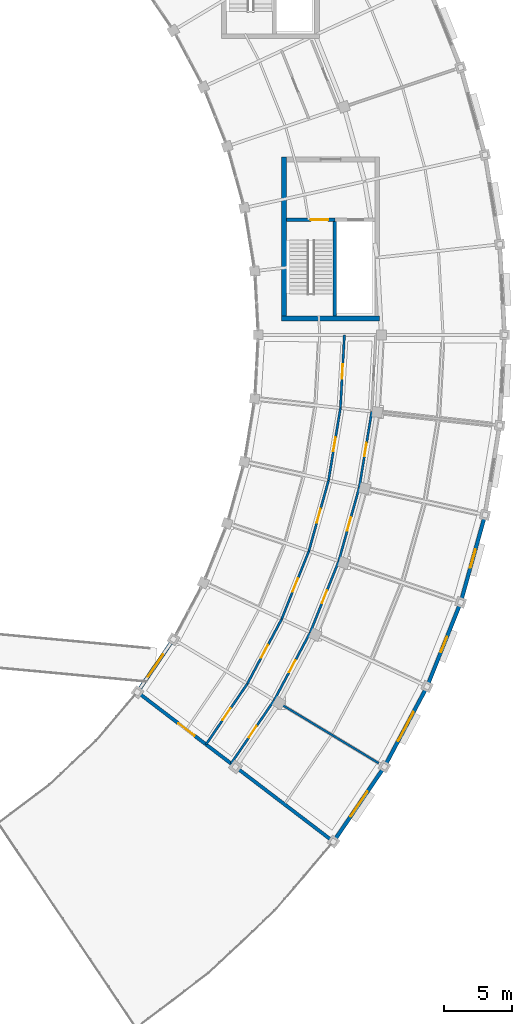
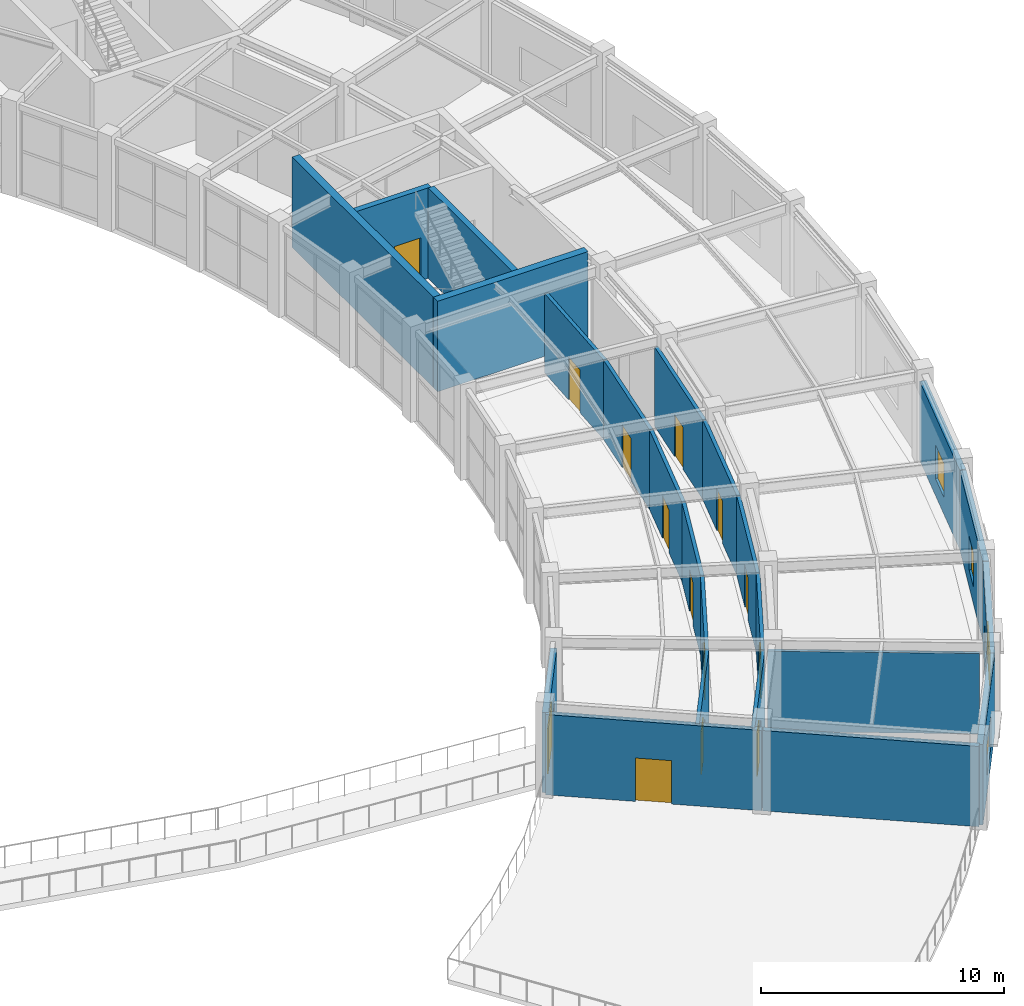
# One storey, part 83 of 100: 23 walls, 14 doors, 4 windows, 18 openings.
"""IFC4 building model written with IfcOpenShell, lengths in metres."""

from ifc_helpers import new_model, si_unit, direction, frame, frame_2d, origin, place, context, subcontext, project, spatial, rectangle, extrude, material, layer, layer_set, type_object, element, fill, save


model = new_model("IFC4")

# Units and contexts
model_context = context("Model", 3, precision=1e-05, world=origin(), true_north=direction((0.0, 1.0)))
body_context = subcontext(model_context, "Body", "Model", "MODEL_VIEW")
ifc_project = project(units=[si_unit("LENGTHUNIT", "METRE"), si_unit("AREAUNIT", "SQUARE_METRE"), si_unit("VOLUMEUNIT", "CUBIC_METRE"), si_unit("PLANEANGLEUNIT", "RADIAN"), si_unit("MASSUNIT", "GRAM", prefix="KILO")], contexts=[model_context])

# Site, building, storey
site_placement = place(None, origin())
site = spatial("IfcSite", under=ifc_project, at=site_placement, CompositionType="ELEMENT")
building_placement = place(site_placement, origin())
building = spatial("IfcBuilding", under=site, at=building_placement, Name="Tarnveldt Headland Concert Hall", CompositionType="ELEMENT")
storey_placement = place(building_placement, frame((0.0, 0.0, 4.800048828125)))
storey = spatial("IfcBuildingStorey", under=building, at=storey_placement, Name="L01", CompositionType="ELEMENT", Elevation=4.800048828125)

# Walls
ifc_material_1 = material(Name="Concrete C40/50", Category="concrete")
ifc_layer_1 = layer(ifc_material_1, 0.35009765625, Name="Concrete C40/50", Category="concrete")
ifc_layer_set_1 = layer_set([ifc_layer_1], Name="Concrete C40/50")
wall_type_1 = type_object("IfcWallType", Name="WL-CR350", PredefinedType="SHEAR", material=ifc_layer_set_1)
wall_1_placement = place(storey_placement, frame((162.22509765625, 61.199951171875, 0.0), z_axis=(0.0, 0.0, 1.0), x_axis=(1.0, 0.0, 0.0)))
element("IfcWall", 1, at=wall_1_placement, inside=storey, type_object=wall_type_1, Name="Core C4 south shear wall L01", PredefinedType="SHEAR", context=body_context, shape_type="SweptSolid", body=[
    extrude(rectangle(XDim=7.14990234375, YDim=0.35009765625, at=frame_2d((3.574951171875, 0.0))), origin(), (0.0, 0.0, 1.0), 4.5400390625),
])
wall_2_placement = place(storey_placement, frame((162.39990234375, 61.375, 0.0), z_axis=(0.0, 0.0, 1.0), x_axis=(0.0, 1.0, 0.0)))
element("IfcWall", 2, at=wall_2_placement, inside=storey, type_object=wall_type_1, Name="Core C4 west shear wall L01", PredefinedType="SHEAR", context=body_context, shape_type="SweptSolid", body=[
    extrude(rectangle(XDim=11.60009765625, YDim=0.35009765625, at=frame_2d((5.800048828125, 0.0))), origin(), (0.0, 0.0, 1.0), 4.5400390625),
])

# Wall, opening, door
ifc_material_2 = material(Name="Coral-toned precast concrete C40/50", Category="concrete")
ifc_layer_2 = layer(ifc_material_2, 0.25, Name="Coral-toned precast concrete C40/50", Category="concrete")
ifc_layer_set_2 = layer_set([ifc_layer_2], Name="Coral-toned precast concrete C40/50")
wall_type_2 = type_object("IfcWallType", Name="WL-EX250", PredefinedType="SOLIDWALL", material=ifc_layer_set_2)
wall_3_placement = place(storey_placement, frame((158.830322265625, 28.4765625, 0.0), z_axis=(0.0, 0.0, 1.0), x_axis=(-0.795118244375, 0.606454431481, 0.0)))
wall_3 = element("IfcWall", 3, at=wall_3_placement, inside=storey, type_object=wall_type_2, Name="External precast wall L01-127", PredefinedType="SOLIDWALL", context=body_context, shape_type="SweptSolid", body=[
    extrude(rectangle(XDim=8.9599609375, YDim=0.25, at=frame_2d((4.47998046875, 0.0))), origin(), (0.0, 0.0, 1.0), 4.02783203125),
])
opening_1_placement = place(wall_3_placement, frame((3.72998046875, 0.0, 0.0)))
opening_1 = element("IfcOpeningElement", 4, at=opening_1_placement, cuts=wall_3, Name="Opening TD-C1", PredefinedType="OPENING", context=body_context, shape_type="SweptSolid", body=[
    extrude(rectangle(XDim=1.5, YDim=2.179931640625, at=frame_2d((0.75, 1.08984375))), frame((0.0, 0.135009765625, 0.0), z_axis=(0.0, -1.0, 0.0), x_axis=(1.0, 0.0, 0.0)), (0.0, 0.0, 1.0), 0.27001953125),
])
ifc_material_3 = material(Name="Marine-anodised aluminium EN AW-6063-T6", Category="aluminium")
door_type_1 = type_object("IfcDoorType", Name="DR-TR150", OperationType="NOTDEFINED", PredefinedType="DOOR", material=ifc_material_3)
door_1_placement = place(opening_1_placement, origin())
door_1 = element("IfcDoor", 5, at=door_1_placement, inside=storey, type_object=door_type_1, Name="Crescent coastal terrace door L01", OperationType="SINGLE_SWING_LEFT", OverallHeight=2.179931640625, OverallWidth=1.5, PredefinedType="DOOR", context=body_context, shape_type="SweptSolid", body=[
    extrude(rectangle(XDim=1.5, YDim=2.179931640625, at=frame_2d((0.75, 1.08984375))), frame((0.0, 0.02490234375, 0.0), z_axis=(0.0, -1.0, 0.0), x_axis=(1.0, 0.0, 0.0)), (0.0, 0.0, 1.0), 0.050048828125),
])
fill(opening_1, door_1)

# Wall
wall_4_placement = place(storey_placement, frame((165.986572265625, 23.0185546875, 0.0), z_axis=(0.0, 0.0, 1.0), x_axis=(-0.795118244375, 0.606454431481, 0.0)))
element("IfcWall", 6, at=wall_4_placement, inside=storey, type_object=wall_type_2, Name="External precast wall L01-128", PredefinedType="SOLIDWALL", context=body_context, shape_type="SweptSolid", body=[
    extrude(rectangle(XDim=8.9599609375, YDim=0.25, at=frame_2d((4.47998046875, 0.0))), origin(), (0.0, 0.0, 1.0), 4.02783203125),
])

# Wall, opening, door
ifc_layer_3 = layer(ifc_material_2, 0.27490234375, Name="Coral-toned precast concrete C40/50", Category="concrete")
ifc_layer_set_3 = layer_set([ifc_layer_3], Name="Coral-toned precast concrete C40/50")
wall_type_3 = type_object("IfcWallType", Name="WL-EX275", PredefinedType="SOLIDWALL", material=ifc_layer_set_3)
wall_5_placement = place(storey_placement, frame((151.701416015625, 33.939208984375, 0.0), z_axis=(0.0, 0.0, 1.0), x_axis=(0.562419692238, 0.826851915268, 0.0)))
wall_5 = element("IfcWall", 7, at=wall_5_placement, inside=storey, type_object=wall_type_3, Name="External precast wall L01-111", PredefinedType="SOLIDWALL", context=body_context, shape_type="SweptSolid", body=[
    extrude(rectangle(XDim=4.62744140625, YDim=0.27490234375, at=frame_2d((2.313720703125, 0.0))), origin(), (0.0, 0.0, 1.0), 4.02783203125),
])
opening_2_placement = place(wall_5_placement, frame((1.3388671875, 0.0, 0.0)))
opening_2 = element("IfcOpeningElement", 8, at=opening_2_placement, cuts=wall_5, Name="Opening TD-03", PredefinedType="OPENING", context=body_context, shape_type="SweptSolid", body=[
    extrude(rectangle(XDim=1.949951171875, YDim=2.280029296875, at=frame_2d((0.97509765625, 1.14013671875))), frame((0.0, 0.1474609375, 0.0), z_axis=(0.0, -1.0, 0.0), x_axis=(1.0, 0.0, 0.0)), (0.0, 0.0, 1.0), 0.294921875),
])
door_type_2 = type_object("IfcDoorType", Name="DR-BR195", OperationType="NOTDEFINED", PredefinedType="DOOR", material=ifc_material_3)
door_2_placement = place(opening_2_placement, origin())
door_2 = element("IfcDoor", 9, at=door_2_placement, inside=storey, type_object=door_type_2, Name="Crescent bridge arrival door", OperationType="DOUBLE_DOOR_SINGLE_SWING", OverallHeight=2.280029296875, OverallWidth=1.949951171875, PredefinedType="DOOR", context=body_context, shape_type="SweptSolid", body=[
    extrude(rectangle(XDim=1.949951171875, YDim=2.280029296875, at=frame_2d((0.97509765625, 1.14013671875))), frame((0.0, 0.02490234375, 0.0), z_axis=(0.0, -1.0, 0.0), x_axis=(1.0, 0.0, 0.0)), (0.0, 0.0, 1.0), 0.050048828125),
])
fill(opening_2, door_2)

# Wall, opening, window
wall_6_placement = place(storey_placement, frame((169.715087890625, 28.46484375, 0.0), z_axis=(0.0, 0.0, 1.0), x_axis=(-0.56240640933, -0.826860950067, 0.0)))
wall_6 = element("IfcWall", 10, at=wall_6_placement, inside=storey, type_object=wall_type_3, Name="External precast wall L01-112", PredefinedType="SOLIDWALL", context=body_context, shape_type="SweptSolid", body=[
    extrude(rectangle(XDim=6.581298828125, YDim=0.27490234375, at=frame_2d((3.29052734375, 0.0))), origin(), (0.0, 0.0, 1.0), 4.02783203125),
])
opening_3_placement = place(wall_6_placement, frame((2.190673828125, 0.0, 0.89990234375)))
opening_3 = element("IfcOpeningElement", 11, at=opening_3_placement, cuts=wall_6, Name="Opening W-C042", PredefinedType="OPENING", context=body_context, shape_type="SweptSolid", body=[
    extrude(rectangle(XDim=2.199951171875, YDim=1.550048828125, at=frame_2d((1.10009765625, 0.77490234375))), frame((0.0, 0.1474609375, 0.0), z_axis=(0.0, -1.0, 0.0), x_axis=(1.0, 0.0, 0.0)), (0.0, 0.0, 1.0), 0.294921875),
])
ifc_material_4 = material(Name="Acoustic laminated low-iron double glazing", Category="glass")
window_type_1 = type_object("IfcWindowType", Name="WN-07", PartitioningType="SINGLE_PANEL", PredefinedType="WINDOW", material=ifc_material_4)
window_1_placement = place(opening_3_placement, origin())
window_1 = element("IfcWindow", 12, at=window_1_placement, inside=storey, type_object=window_type_1, Name="Crescent coastal studio window L01-4", OverallHeight=1.550048828125, OverallWidth=2.199951171875, PartitioningType="SINGLE_PANEL", PredefinedType="WINDOW", context=body_context, shape_type="SweptSolid", body=[
    extrude(rectangle(XDim=2.199951171875, YDim=1.550048828125, at=frame_2d((1.10009765625, 0.77490234375))), frame((0.0, 0.030029296875, 0.0), z_axis=(0.0, -1.0, 0.0), x_axis=(1.0, 0.0, 0.0)), (0.0, 0.0, 1.0), 0.06005859375),
])
fill(opening_3, window_1)

wall_7_placement = place(storey_placement, frame((172.8251953125, 34.309814453125, 0.0), z_axis=(0.0, 0.0, 1.0), x_axis=(-0.469465310576, -0.882950917189, 0.0)))
wall_7 = element("IfcWall", 13, at=wall_7_placement, inside=storey, type_object=wall_type_3, Name="External precast wall L01-113", PredefinedType="SOLIDWALL", context=body_context, shape_type="SweptSolid", body=[
    extrude(rectangle(XDim=6.5810546875, YDim=0.27490234375, at=frame_2d((3.29052734375, 0.0))), origin(), (0.0, 0.0, 1.0), 3.97802734375),
])
opening_4_placement = place(wall_7_placement, frame((2.090576171875, 0.0, 0.89990234375)))
opening_4 = element("IfcOpeningElement", 14, at=opening_4_placement, cuts=wall_7, Name="Opening W-C043", PredefinedType="OPENING", context=body_context, shape_type="SweptSolid", body=[
    extrude(rectangle(XDim=2.39990234375, YDim=1.550048828125, at=frame_2d((1.199951171875, 0.77490234375))), frame((0.0, 0.1474609375, 0.0), z_axis=(0.0, -1.0, 0.0), x_axis=(1.0, 0.0, 0.0)), (0.0, 0.0, 1.0), 0.294921875),
])
window_type_2 = type_object("IfcWindowType", Name="WN-08", PartitioningType="SINGLE_PANEL", PredefinedType="WINDOW", material=ifc_material_4)
window_2_placement = place(opening_4_placement, origin())
window_2 = element("IfcWindow", 15, at=window_2_placement, inside=storey, type_object=window_type_2, Name="Crescent coastal studio window L01-5", OverallHeight=1.550048828125, OverallWidth=2.39990234375, PartitioningType="SINGLE_PANEL", PredefinedType="WINDOW", context=body_context, shape_type="SweptSolid", body=[
    extrude(rectangle(XDim=2.39990234375, YDim=1.550048828125, at=frame_2d((1.199951171875, 0.77490234375))), frame((0.0, 0.030029296875, 0.0), z_axis=(0.0, -1.0, 0.0), x_axis=(1.0, 0.0, 0.0)), (0.0, 0.0, 1.0), 0.06005859375),
])
fill(opening_4, window_2)

wall_8_placement = place(storey_placement, frame((175.28369140625, 40.45751953125, 0.0), z_axis=(0.0, 0.0, 1.0), x_axis=(-0.371013273361, -0.928627563122, 0.0)))
wall_8 = element("IfcWall", 16, at=wall_8_placement, inside=storey, type_object=wall_type_3, Name="External precast wall L01-114", PredefinedType="SOLIDWALL", context=body_context, shape_type="SweptSolid", body=[
    extrude(rectangle(XDim=6.5810546875, YDim=0.27490234375, at=frame_2d((3.29052734375, 0.0))), origin(), (0.0, 0.0, 1.0), 3.97802734375),
])
opening_5_placement = place(wall_8_placement, frame((2.690673828125, 0.0, 0.85009765625)))
opening_5 = element("IfcOpeningElement", 17, at=opening_5_placement, cuts=wall_8, Name="Opening W-C044", PredefinedType="OPENING", context=body_context, shape_type="SweptSolid", body=[
    extrude(rectangle(XDim=1.199951171875, YDim=1.699951171875, at=frame_2d((0.60009765625, 0.85009765625))), frame((0.0, 0.1474609375, 0.0), z_axis=(0.0, -1.0, 0.0), x_axis=(1.0, 0.0, 0.0)), (0.0, 0.0, 1.0), 0.294921875),
])
window_type_3 = type_object("IfcWindowType", Name="WN-09", PartitioningType="SINGLE_PANEL", PredefinedType="WINDOW", material=ifc_material_4)
window_3_placement = place(opening_5_placement, origin())
window_3 = element("IfcWindow", 18, at=window_3_placement, inside=storey, type_object=window_type_3, Name="Crescent coastal studio window L01-6", OverallHeight=1.699951171875, OverallWidth=1.199951171875, PartitioningType="SINGLE_PANEL", PredefinedType="WINDOW", context=body_context, shape_type="SweptSolid", body=[
    extrude(rectangle(XDim=1.199951171875, YDim=1.699951171875, at=frame_2d((0.60009765625, 0.85009765625))), frame((0.0, 0.030029296875, 0.0), z_axis=(0.0, -1.0, 0.0), x_axis=(1.0, 0.0, 0.0)), (0.0, 0.0, 1.0), 0.06005859375),
])
fill(opening_5, window_3)

wall_9_placement = place(storey_placement, frame((177.061279296875, 46.835693359375, 0.0), z_axis=(0.0, 0.0, 1.0), x_axis=(-0.268139380464, -0.96338012884, 0.0)))
wall_9 = element("IfcWall", 19, at=wall_9_placement, inside=storey, type_object=wall_type_3, Name="External precast wall L01-115", PredefinedType="SOLIDWALL", context=body_context, shape_type="SweptSolid", body=[
    extrude(rectangle(XDim=6.5810546875, YDim=0.27490234375, at=frame_2d((3.29052734375, 0.0))), origin(), (0.0, 0.0, 1.0), 3.97802734375),
])
opening_6_placement = place(wall_9_placement, frame((2.590576171875, 0.0, 0.85009765625)))
opening_6 = element("IfcOpeningElement", 20, at=opening_6_placement, cuts=wall_9, Name="Opening W-C045", PredefinedType="OPENING", context=body_context, shape_type="SweptSolid", body=[
    extrude(rectangle(XDim=1.39990234375, YDim=1.699951171875, at=frame_2d((0.699951171875, 0.85009765625))), frame((0.0, 0.1474609375, 0.0), z_axis=(0.0, -1.0, 0.0), x_axis=(1.0, 0.0, 0.0)), (0.0, 0.0, 1.0), 0.294921875),
])
window_type_4 = type_object("IfcWindowType", Name="WN-10", PartitioningType="SINGLE_PANEL", PredefinedType="WINDOW", material=ifc_material_4)
window_4_placement = place(opening_6_placement, origin())
window_4 = element("IfcWindow", 21, at=window_4_placement, inside=storey, type_object=window_type_4, Name="Crescent coastal studio window L01-7", OverallHeight=1.699951171875, OverallWidth=1.39990234375, PartitioningType="SINGLE_PANEL", PredefinedType="WINDOW", context=body_context, shape_type="SweptSolid", body=[
    extrude(rectangle(XDim=1.39990234375, YDim=1.699951171875, at=frame_2d((0.699951171875, 0.85009765625))), frame((0.0, 0.030029296875, 0.0), z_axis=(0.0, -1.0, 0.0), x_axis=(1.0, 0.0, 0.0)), (0.0, 0.0, 1.0), 0.06005859375),
])
fill(opening_6, window_4)

# Wall
ifc_material_5 = material(Name="Acoustic multi-layer gypsum and mineral-wool partition", Category="gypsum")
ifc_layer_4 = layer(ifc_material_5, 0.14990234375, Name="Acoustic multi-layer gypsum and mineral-wool partition", Category="gypsum")
ifc_layer_set_4 = layer_set([ifc_layer_4], Name="Acoustic multi-layer gypsum and mineral-wool partition")
wall_type_4 = type_object("IfcWallType", Name="WL-PT150", PredefinedType="PARTITIONING", material=ifc_layer_set_4)
wall_10_placement = place(storey_placement, frame((161.849365234375, 33.235107421875, 0.0), z_axis=(0.0, 0.0, 1.0), x_axis=(0.856165401623, -0.516701853165, 0.0)))
element("IfcWall", 22, at=wall_10_placement, inside=storey, type_object=wall_type_4, Name="Interior acoustic partition L01-172", PredefinedType="PARTITIONING", context=body_context, shape_type="SweptSolid", body=[
    extrude(rectangle(XDim=8.7001953125, YDim=0.14990234375, at=frame_2d((4.35009765625, 0.0))), origin(), (0.0, 0.0, 1.0), 4.030029296875),
])

# Wall, opening, door
ifc_layer_5 = layer(ifc_material_5, 0.1650390625, Name="Acoustic multi-layer gypsum and mineral-wool partition", Category="gypsum")
ifc_layer_set_5 = layer_set([ifc_layer_5], Name="Acoustic multi-layer gypsum and mineral-wool partition")
wall_type_5 = type_object("IfcWallType", Name="WL-PT165", PredefinedType="PARTITIONING", material=ifc_layer_set_5)
wall_11_placement = place(storey_placement, frame((156.699462890625, 30.10205078125, 0.0), z_axis=(0.0, 0.0, 1.0), x_axis=(0.562414843725, 0.826855213177, 0.0)))
wall_11 = element("IfcWall", 23, at=wall_11_placement, inside=storey, type_object=wall_type_5, Name="Interior acoustic partition L01-168", PredefinedType="PARTITIONING", context=body_context, shape_type="SweptSolid", body=[
    extrude(rectangle(XDim=5.35107421875, YDim=0.1650390625, at=frame_2d((2.675537109375, 0.0))), origin(), (0.0, 0.0, 1.0), 4.030029296875),
])
opening_7_placement = place(wall_11_placement, frame((2.150634765625, 0.0, 0.0)))
opening_7 = element("IfcOpeningElement", 24, at=opening_7_placement, cuts=wall_11, Name="Opening D-L01-179", PredefinedType="OPENING", context=body_context, shape_type="SweptSolid", body=[
    extrude(rectangle(XDim=1.050048828125, YDim=2.14990234375, at=frame_2d((0.52490234375, 1.074951171875))), frame((0.0, 0.092529296875, 0.0), z_axis=(0.0, -1.0, 0.0), x_axis=(1.0, 0.0, 0.0)), (0.0, 0.0, 1.0), 0.18505859375),
])
ifc_material_6 = material(Name="Treated East African mvule hardwood", Category="wood")
door_type_3 = type_object("IfcDoorType", Name="DR-RM105", OperationType="NOTDEFINED", PredefinedType="DOOR", material=ifc_material_6)
door_3_placement = place(opening_7_placement, origin())
door_3 = element("IfcDoor", 25, at=door_3_placement, inside=storey, type_object=door_type_3, Name="Interior room door L01-179", OperationType="SINGLE_SWING_LEFT", OverallHeight=2.14990234375, OverallWidth=1.050048828125, PredefinedType="DOOR", context=body_context, shape_type="SweptSolid", body=[
    extrude(rectangle(XDim=1.050048828125, YDim=2.14990234375, at=frame_2d((0.52490234375, 1.074951171875))), frame((0.0, 0.02490234375, 0.0), z_axis=(0.0, -1.0, 0.0), x_axis=(1.0, 0.0, 0.0)), (0.0, 0.0, 1.0), 0.050048828125),
])
fill(opening_7, door_3)

wall_12_placement = place(storey_placement, frame((158.5283203125, 28.70703125, 0.0), z_axis=(0.0, 0.0, 1.0), x_axis=(0.562381554388, 0.826877855118, 0.0)))
wall_12 = element("IfcWall", 26, at=wall_12_placement, inside=storey, type_object=wall_type_5, Name="Interior acoustic partition L01-169", PredefinedType="PARTITIONING", context=body_context, shape_type="SweptSolid", body=[
    extrude(rectangle(XDim=5.60107421875, YDim=0.1650390625, at=frame_2d((2.800537109375, 0.0))), origin(), (0.0, 0.0, 1.0), 4.030029296875),
])
opening_8_placement = place(wall_12_placement, frame((2.300537109375, 0.0, 0.0)))
opening_8 = element("IfcOpeningElement", 27, at=opening_8_placement, cuts=wall_12, Name="Opening D-L01-180", PredefinedType="OPENING", context=body_context, shape_type="SweptSolid", body=[
    extrude(rectangle(XDim=1.0, YDim=2.1201171875, at=frame_2d((0.5, 1.06005859375))), frame((0.0, 0.092529296875, 0.0), z_axis=(0.0, -1.0, 0.0), x_axis=(1.0, 0.0, 0.0)), (0.0, 0.0, 1.0), 0.18505859375),
])
door_type_4 = type_object("IfcDoorType", Name="DR-RM100", OperationType="NOTDEFINED", PredefinedType="DOOR", material=ifc_material_6)
door_4_placement = place(opening_8_placement, origin())
door_4 = element("IfcDoor", 28, at=door_4_placement, inside=storey, type_object=door_type_4, Name="Interior room door L01-180", OperationType="SINGLE_SWING_RIGHT", OverallHeight=2.1201171875, OverallWidth=1.0, PredefinedType="DOOR", context=body_context, shape_type="SweptSolid", body=[
    extrude(rectangle(XDim=1.0, YDim=2.1201171875, at=frame_2d((0.5, 1.06005859375))), frame((0.0, 0.02490234375, 0.0), z_axis=(0.0, -1.0, 0.0), x_axis=(1.0, 0.0, 0.0)), (0.0, 0.0, 1.0), 0.050048828125),
])
fill(opening_8, door_4)

wall_13_placement = place(storey_placement, frame((159.708984375, 34.526611328125, 0.0), z_axis=(0.0, 0.0, 1.0), x_axis=(0.469446511706, 0.882960912299, 0.0)))
wall_13 = element("IfcWall", 29, at=wall_13_placement, inside=storey, type_object=wall_type_5, Name="Interior acoustic partition L01-170", PredefinedType="PARTITIONING", context=body_context, shape_type="SweptSolid", body=[
    extrude(rectangle(XDim=5.351318359375, YDim=0.1650390625, at=frame_2d((2.67578125, 0.0))), origin(), (0.0, 0.0, 1.0), 3.97998046875),
])
opening_9_placement = place(wall_13_placement, frame((2.150634765625, 0.0, 0.0)))
opening_9 = element("IfcOpeningElement", 30, at=opening_9_placement, cuts=wall_13, Name="Opening D-L01-181", PredefinedType="OPENING", context=body_context, shape_type="SweptSolid", body=[
    extrude(rectangle(XDim=1.050048828125, YDim=2.14990234375, at=frame_2d((0.52490234375, 1.074951171875))), frame((0.0, 0.092529296875, 0.0), z_axis=(0.0, -1.0, 0.0), x_axis=(1.0, 0.0, 0.0)), (0.0, 0.0, 1.0), 0.18505859375),
])
door_5_placement = place(opening_9_placement, origin())
door_5 = element("IfcDoor", 31, at=door_5_placement, inside=storey, type_object=door_type_3, Name="Interior room door L01-181", OperationType="SINGLE_SWING_LEFT", OverallHeight=2.14990234375, OverallWidth=1.050048828125, PredefinedType="DOOR", context=body_context, shape_type="SweptSolid", body=[
    extrude(rectangle(XDim=1.050048828125, YDim=2.14990234375, at=frame_2d((0.52490234375, 1.074951171875))), frame((0.0, 0.02490234375, 0.0), z_axis=(0.0, -1.0, 0.0), x_axis=(1.0, 0.0, 0.0)), (0.0, 0.0, 1.0), 0.050048828125),
])
fill(opening_9, door_5)

wall_14_placement = place(storey_placement, frame((161.67822265625, 33.33837890625, 0.0), z_axis=(0.0, 0.0, 1.0), x_axis=(0.469461155726, 0.882953126312, 0.0)))
wall_14 = element("IfcWall", 32, at=wall_14_placement, inside=storey, type_object=wall_type_5, Name="Interior acoustic partition L01-171", PredefinedType="PARTITIONING", context=body_context, shape_type="SweptSolid", body=[
    extrude(rectangle(XDim=5.600830078125, YDim=0.1650390625, at=frame_2d((2.80029296875, 0.0))), origin(), (0.0, 0.0, 1.0), 3.97998046875),
])
opening_10_placement = place(wall_14_placement, frame((2.300537109375, 0.0, 0.0)))
opening_10 = element("IfcOpeningElement", 33, at=opening_10_placement, cuts=wall_14, Name="Opening D-L01-182", PredefinedType="OPENING", context=body_context, shape_type="SweptSolid", body=[
    extrude(rectangle(XDim=1.0, YDim=2.1201171875, at=frame_2d((0.5, 1.06005859375))), frame((0.0, 0.092529296875, 0.0), z_axis=(0.0, -1.0, 0.0), x_axis=(1.0, 0.0, 0.0)), (0.0, 0.0, 1.0), 0.18505859375),
])
door_6_placement = place(opening_10_placement, origin())
door_6 = element("IfcDoor", 34, at=door_6_placement, inside=storey, type_object=door_type_4, Name="Interior room door L01-182", OperationType="SINGLE_SWING_RIGHT", OverallHeight=2.1201171875, OverallWidth=1.0, PredefinedType="DOOR", context=body_context, shape_type="SweptSolid", body=[
    extrude(rectangle(XDim=1.0, YDim=2.1201171875, at=frame_2d((0.5, 1.06005859375))), frame((0.0, 0.02490234375, 0.0), z_axis=(0.0, -1.0, 0.0), x_axis=(1.0, 0.0, 0.0)), (0.0, 0.0, 1.0), 0.050048828125),
])
fill(opening_10, door_6)

wall_15_placement = place(storey_placement, frame((162.22119140625, 39.251708984375, 0.0), z_axis=(0.0, 0.0, 1.0), x_axis=(0.371052411724, 0.92861192527, 0.0)))
wall_15 = element("IfcWall", 35, at=wall_15_placement, inside=storey, type_object=wall_type_5, Name="Interior acoustic partition L01-173", PredefinedType="PARTITIONING", context=body_context, shape_type="SweptSolid", body=[
    extrude(rectangle(XDim=5.351318359375, YDim=0.1650390625, at=frame_2d((2.67578125, 0.0))), origin(), (0.0, 0.0, 1.0), 3.97998046875),
])
opening_11_placement = place(wall_15_placement, frame((2.150634765625, 0.0, 0.0)))
opening_11 = element("IfcOpeningElement", 36, at=opening_11_placement, cuts=wall_15, Name="Opening D-L01-183", PredefinedType="OPENING", context=body_context, shape_type="SweptSolid", body=[
    extrude(rectangle(XDim=1.050048828125, YDim=2.14990234375, at=frame_2d((0.52490234375, 1.074951171875))), frame((0.0, 0.092529296875, 0.0), z_axis=(0.0, -1.0, 0.0), x_axis=(1.0, 0.0, 0.0)), (0.0, 0.0, 1.0), 0.18505859375),
])
door_7_placement = place(opening_11_placement, origin())
door_7 = element("IfcDoor", 37, at=door_7_placement, inside=storey, type_object=door_type_3, Name="Interior room door L01-183", OperationType="SINGLE_SWING_LEFT", OverallHeight=2.14990234375, OverallWidth=1.050048828125, PredefinedType="DOOR", context=body_context, shape_type="SweptSolid", body=[
    extrude(rectangle(XDim=1.050048828125, YDim=2.14990234375, at=frame_2d((0.52490234375, 1.074951171875))), frame((0.0, 0.02490234375, 0.0), z_axis=(0.0, -1.0, 0.0), x_axis=(1.0, 0.0, 0.0)), (0.0, 0.0, 1.0), 0.050048828125),
])
fill(opening_11, door_7)

wall_16_placement = place(storey_placement, frame((164.3076171875, 38.28369140625, 0.0), z_axis=(0.0, 0.0, 1.0), x_axis=(0.371029911437, 0.928620915562, 0.0)))
wall_16 = element("IfcWall", 38, at=wall_16_placement, inside=storey, type_object=wall_type_5, Name="Interior acoustic partition L01-174", PredefinedType="PARTITIONING", context=body_context, shape_type="SweptSolid", body=[
    extrude(rectangle(XDim=5.60107421875, YDim=0.1650390625, at=frame_2d((2.800537109375, 0.0))), origin(), (0.0, 0.0, 1.0), 3.97998046875),
])
opening_12_placement = place(wall_16_placement, frame((2.300537109375, 0.0, 0.0)))
opening_12 = element("IfcOpeningElement", 39, at=opening_12_placement, cuts=wall_16, Name="Opening D-L01-184", PredefinedType="OPENING", context=body_context, shape_type="SweptSolid", body=[
    extrude(rectangle(XDim=1.0, YDim=2.1201171875, at=frame_2d((0.5, 1.06005859375))), frame((0.0, 0.092529296875, 0.0), z_axis=(0.0, -1.0, 0.0), x_axis=(1.0, 0.0, 0.0)), (0.0, 0.0, 1.0), 0.18505859375),
])
door_8_placement = place(opening_12_placement, origin())
door_8 = element("IfcDoor", 40, at=door_8_placement, inside=storey, type_object=door_type_4, Name="Interior room door L01-184", OperationType="SINGLE_SWING_RIGHT", OverallHeight=2.1201171875, OverallWidth=1.0, PredefinedType="DOOR", context=body_context, shape_type="SweptSolid", body=[
    extrude(rectangle(XDim=1.0, YDim=2.1201171875, at=frame_2d((0.5, 1.06005859375))), frame((0.0, 0.02490234375, 0.0), z_axis=(0.0, -1.0, 0.0), x_axis=(1.0, 0.0, 0.0)), (0.0, 0.0, 1.0), 0.050048828125),
])
fill(opening_12, door_8)

wall_17_placement = place(storey_placement, frame((164.206787109375, 44.220947265625, 0.0), z_axis=(0.0, 0.0, 1.0), x_axis=(0.268128561912, 0.963383139923, 0.0)))
wall_17 = element("IfcWall", 41, at=wall_17_placement, inside=storey, type_object=wall_type_5, Name="Interior acoustic partition L01-175", PredefinedType="PARTITIONING", context=body_context, shape_type="SweptSolid", body=[
    extrude(rectangle(XDim=5.351318359375, YDim=0.1650390625, at=frame_2d((2.67578125, 0.0))), origin(), (0.0, 0.0, 1.0), 3.97998046875),
])
opening_13_placement = place(wall_17_placement, frame((2.150634765625, 0.0, 0.0)))
opening_13 = element("IfcOpeningElement", 42, at=opening_13_placement, cuts=wall_17, Name="Opening D-L01-185", PredefinedType="OPENING", context=body_context, shape_type="SweptSolid", body=[
    extrude(rectangle(XDim=1.050048828125, YDim=2.14990234375, at=frame_2d((0.52490234375, 1.074951171875))), frame((0.0, 0.092529296875, 0.0), z_axis=(0.0, -1.0, 0.0), x_axis=(1.0, 0.0, 0.0)), (0.0, 0.0, 1.0), 0.18505859375),
])
door_9_placement = place(opening_13_placement, origin())
door_9 = element("IfcDoor", 43, at=door_9_placement, inside=storey, type_object=door_type_3, Name="Interior room door L01-185", OperationType="SINGLE_SWING_LEFT", OverallHeight=2.14990234375, OverallWidth=1.050048828125, PredefinedType="DOOR", context=body_context, shape_type="SweptSolid", body=[
    extrude(rectangle(XDim=1.050048828125, YDim=2.14990234375, at=frame_2d((0.52490234375, 1.074951171875))), frame((0.0, 0.02490234375, 0.0), z_axis=(0.0, -1.0, 0.0), x_axis=(1.0, 0.0, 0.0)), (0.0, 0.0, 1.0), 0.050048828125),
])
fill(opening_13, door_9)

wall_18_placement = place(storey_placement, frame((166.3857421875, 43.48486328125, 0.0), z_axis=(0.0, 0.0, 1.0), x_axis=(0.268163153024, 0.963373511863, 0.0)))
wall_18 = element("IfcWall", 44, at=wall_18_placement, inside=storey, type_object=wall_type_5, Name="Interior acoustic partition L01-176", PredefinedType="PARTITIONING", context=body_context, shape_type="SweptSolid", body=[
    extrude(rectangle(XDim=5.600830078125, YDim=0.1650390625, at=frame_2d((2.80029296875, 0.0))), origin(), (0.0, 0.0, 1.0), 3.97998046875),
])
opening_14_placement = place(wall_18_placement, frame((2.300537109375, 0.0, 0.0)))
opening_14 = element("IfcOpeningElement", 45, at=opening_14_placement, cuts=wall_18, Name="Opening D-L01-186", PredefinedType="OPENING", context=body_context, shape_type="SweptSolid", body=[
    extrude(rectangle(XDim=1.0, YDim=2.1201171875, at=frame_2d((0.5, 1.06005859375))), frame((0.0, 0.092529296875, 0.0), z_axis=(0.0, -1.0, 0.0), x_axis=(1.0, 0.0, 0.0)), (0.0, 0.0, 1.0), 0.18505859375),
])
door_10_placement = place(opening_14_placement, origin())
door_10 = element("IfcDoor", 46, at=door_10_placement, inside=storey, type_object=door_type_4, Name="Interior room door L01-186", OperationType="SINGLE_SWING_RIGHT", OverallHeight=2.1201171875, OverallWidth=1.0, PredefinedType="DOOR", context=body_context, shape_type="SweptSolid", body=[
    extrude(rectangle(XDim=1.0, YDim=2.1201171875, at=frame_2d((0.5, 1.06005859375))), frame((0.0, 0.02490234375, 0.0), z_axis=(0.0, -1.0, 0.0), x_axis=(1.0, 0.0, 0.0)), (0.0, 0.0, 1.0), 0.050048828125),
])
fill(opening_14, door_10)

wall_19_placement = place(storey_placement, frame((165.6416015625, 49.376220703125, 0.0), z_axis=(0.0, 0.0, 1.0), x_axis=(0.162193820857, 0.986758919127, 0.0)))
wall_19 = element("IfcWall", 47, at=wall_19_placement, inside=storey, type_object=wall_type_5, Name="Interior acoustic partition L01-177", PredefinedType="PARTITIONING", context=body_context, shape_type="SweptSolid", body=[
    extrude(rectangle(XDim=5.35107421875, YDim=0.1650390625, at=frame_2d((2.675537109375, 0.0))), origin(), (0.0, 0.0, 1.0), 3.97998046875),
])
opening_15_placement = place(wall_19_placement, frame((2.150634765625, 0.0, 0.0)))
opening_15 = element("IfcOpeningElement", 48, at=opening_15_placement, cuts=wall_19, Name="Opening D-L01-187", PredefinedType="OPENING", context=body_context, shape_type="SweptSolid", body=[
    extrude(rectangle(XDim=1.050048828125, YDim=2.14990234375, at=frame_2d((0.52490234375, 1.074951171875))), frame((0.0, 0.092529296875, 0.0), z_axis=(0.0, -1.0, 0.0), x_axis=(1.0, 0.0, 0.0)), (0.0, 0.0, 1.0), 0.18505859375),
])
door_11_placement = place(opening_15_placement, origin())
door_11 = element("IfcDoor", 49, at=door_11_placement, inside=storey, type_object=door_type_3, Name="Interior room door L01-187", OperationType="SINGLE_SWING_LEFT", OverallHeight=2.14990234375, OverallWidth=1.050048828125, PredefinedType="DOOR", context=body_context, shape_type="SweptSolid", body=[
    extrude(rectangle(XDim=1.050048828125, YDim=2.14990234375, at=frame_2d((0.52490234375, 1.074951171875))), frame((0.0, 0.02490234375, 0.0), z_axis=(0.0, -1.0, 0.0), x_axis=(1.0, 0.0, 0.0)), (0.0, 0.0, 1.0), 0.050048828125),
])
fill(opening_15, door_11)

wall_20_placement = place(storey_placement, frame((167.8876953125, 48.880615234375, 0.0), z_axis=(0.0, 0.0, 1.0), x_axis=(0.162157760567, 0.986764845689, 0.0)))
wall_20 = element("IfcWall", 50, at=wall_20_placement, inside=storey, type_object=wall_type_5, Name="Interior acoustic partition L01-178", PredefinedType="PARTITIONING", context=body_context, shape_type="SweptSolid", body=[
    extrude(rectangle(XDim=5.600830078125, YDim=0.1650390625, at=frame_2d((2.80029296875, 0.0))), origin(), (0.0, 0.0, 1.0), 3.97998046875),
])
opening_16_placement = place(wall_20_placement, frame((2.30029296875, 0.0, 0.0)))
opening_16 = element("IfcOpeningElement", 51, at=opening_16_placement, cuts=wall_20, Name="Opening D-L01-188", PredefinedType="OPENING", context=body_context, shape_type="SweptSolid", body=[
    extrude(rectangle(XDim=1.0, YDim=2.1201171875, at=frame_2d((0.5, 1.06005859375))), frame((0.0, 0.092529296875, 0.0), z_axis=(0.0, -1.0, 0.0), x_axis=(1.0, 0.0, 0.0)), (0.0, 0.0, 1.0), 0.18505859375),
])
door_12_placement = place(opening_16_placement, origin())
door_12 = element("IfcDoor", 52, at=door_12_placement, inside=storey, type_object=door_type_4, Name="Interior room door L01-188", OperationType="SINGLE_SWING_RIGHT", OverallHeight=2.1201171875, OverallWidth=1.0, PredefinedType="DOOR", context=body_context, shape_type="SweptSolid", body=[
    extrude(rectangle(XDim=1.0, YDim=2.1201171875, at=frame_2d((0.5, 1.06005859375))), frame((0.0, 0.02490234375, 0.0), z_axis=(0.0, -1.0, 0.0), x_axis=(1.0, 0.0, 0.0)), (0.0, 0.0, 1.0), 0.050048828125),
])
fill(opening_16, door_12)

wall_21_placement = place(storey_placement, frame((166.509521484375, 54.656494140625, 0.0), z_axis=(0.0, 0.0, 1.0), x_axis=(0.054289989542, 0.998525211016, 0.0)))
wall_21 = element("IfcWall", 53, at=wall_21_placement, inside=storey, type_object=wall_type_5, Name="Interior acoustic partition L01-179", PredefinedType="PARTITIONING", context=body_context, shape_type="SweptSolid", body=[
    extrude(rectangle(XDim=5.351318359375, YDim=0.1650390625, at=frame_2d((2.67578125, 0.0))), origin(), (0.0, 0.0, 1.0), 3.97998046875),
])
opening_17_placement = place(wall_21_placement, frame((2.150634765625, 0.0, 0.0)))
opening_17 = element("IfcOpeningElement", 54, at=opening_17_placement, cuts=wall_21, Name="Opening D-L01-189", PredefinedType="OPENING", context=body_context, shape_type="SweptSolid", body=[
    extrude(rectangle(XDim=1.050048828125, YDim=2.14990234375, at=frame_2d((0.52490234375, 1.074951171875))), frame((0.0, 0.092529296875, 0.0), z_axis=(0.0, -1.0, 0.0), x_axis=(1.0, 0.0, 0.0)), (0.0, 0.0, 1.0), 0.18505859375),
])
door_13_placement = place(opening_17_placement, origin())
door_13 = element("IfcDoor", 55, at=door_13_placement, inside=storey, type_object=door_type_3, Name="Interior room door L01-189", OperationType="SINGLE_SWING_LEFT", OverallHeight=2.14990234375, OverallWidth=1.050048828125, PredefinedType="DOOR", context=body_context, shape_type="SweptSolid", body=[
    extrude(rectangle(XDim=1.050048828125, YDim=2.14990234375, at=frame_2d((0.52490234375, 1.074951171875))), frame((0.0, 0.02490234375, 0.0), z_axis=(0.0, -1.0, 0.0), x_axis=(1.0, 0.0, 0.0)), (0.0, 0.0, 1.0), 0.050048828125),
])
fill(opening_17, door_13)

# Wall
ifc_layer_6 = layer(ifc_material_1, 0.27490234375, Name="Concrete C40/50", Category="concrete")
ifc_layer_set_6 = layer_set([ifc_layer_6], Name="Concrete C40/50")
wall_type_6 = type_object("IfcWallType", Name="WL-SH275", PredefinedType="SHEAR", material=ifc_layer_set_6)
wall_22_placement = place(storey_placement, frame((166.10009765625, 61.375, 0.0), z_axis=(0.0, 0.0, 1.0), x_axis=(0.0, 1.0, 0.0)))
element("IfcWall", 56, at=wall_22_placement, inside=storey, type_object=wall_type_6, Name="Core C4 shaft divider wall L01", PredefinedType="SHEAR", context=body_context, shape_type="SweptSolid", body=[
    extrude(rectangle(XDim=6.887451171875, YDim=0.27490234375, at=frame_2d((3.44384765625, 0.0))), origin(), (0.0, 0.0, 1.0), 4.5400390625),
])

# Wall, opening, door
wall_23_placement = place(storey_placement, frame((162.574951171875, 68.39990234375, 0.0), z_axis=(0.0, 0.0, 1.0), x_axis=(1.0, 0.0, 0.0)))
wall_23 = element("IfcWall", 57, at=wall_23_placement, inside=storey, type_object=wall_type_6, Name="Core C4 stair enclosure wall L01", PredefinedType="SHEAR", context=body_context, shape_type="SweptSolid", body=[
    extrude(rectangle(XDim=3.525146484375, YDim=0.27490234375, at=frame_2d((1.7626953125, 0.0))), origin(), (0.0, 0.0, 1.0), 4.5400390625),
])
opening_18_placement = place(wall_23_placement, frame((1.784912109375, 0.0, 0.0)))
opening_18 = element("IfcOpeningElement", 58, at=opening_18_placement, cuts=wall_23, Name="Opening SD-C4-L01", PredefinedType="OPENING", context=body_context, shape_type="SweptSolid", body=[
    extrude(rectangle(XDim=1.25, YDim=2.14990234375, at=frame_2d((0.625, 1.074951171875))), frame((0.0, 0.1474609375, 0.0), z_axis=(0.0, -1.0, 0.0), x_axis=(1.0, 0.0, 0.0)), (0.0, 0.0, 1.0), 0.294921875),
])
ifc_material_7 = material(Name="Galvanised painted steel sheet", Category="steel")
door_type_5 = type_object("IfcDoorType", Name="DR-ST125", OperationType="NOTDEFINED", PredefinedType="DOOR", material=ifc_material_7)
door_14_placement = place(opening_18_placement, origin())
door_14 = element("IfcDoor", 59, at=door_14_placement, inside=storey, type_object=door_type_5, Name="Core C4 stair fire door L01", OperationType="SINGLE_SWING_RIGHT", OverallHeight=2.14990234375, OverallWidth=1.25, PredefinedType="DOOR", context=body_context, shape_type="SweptSolid", body=[
    extrude(rectangle(XDim=1.25, YDim=2.14990234375, at=frame_2d((0.625, 1.074951171875))), frame((0.0, 0.02490234375, 0.0), z_axis=(0.0, -1.0, 0.0), x_axis=(1.0, 0.0, 0.0)), (0.0, 0.0, 1.0), 0.050048828125),
])
fill(opening_18, door_14)

save(model, "model.ifc")
